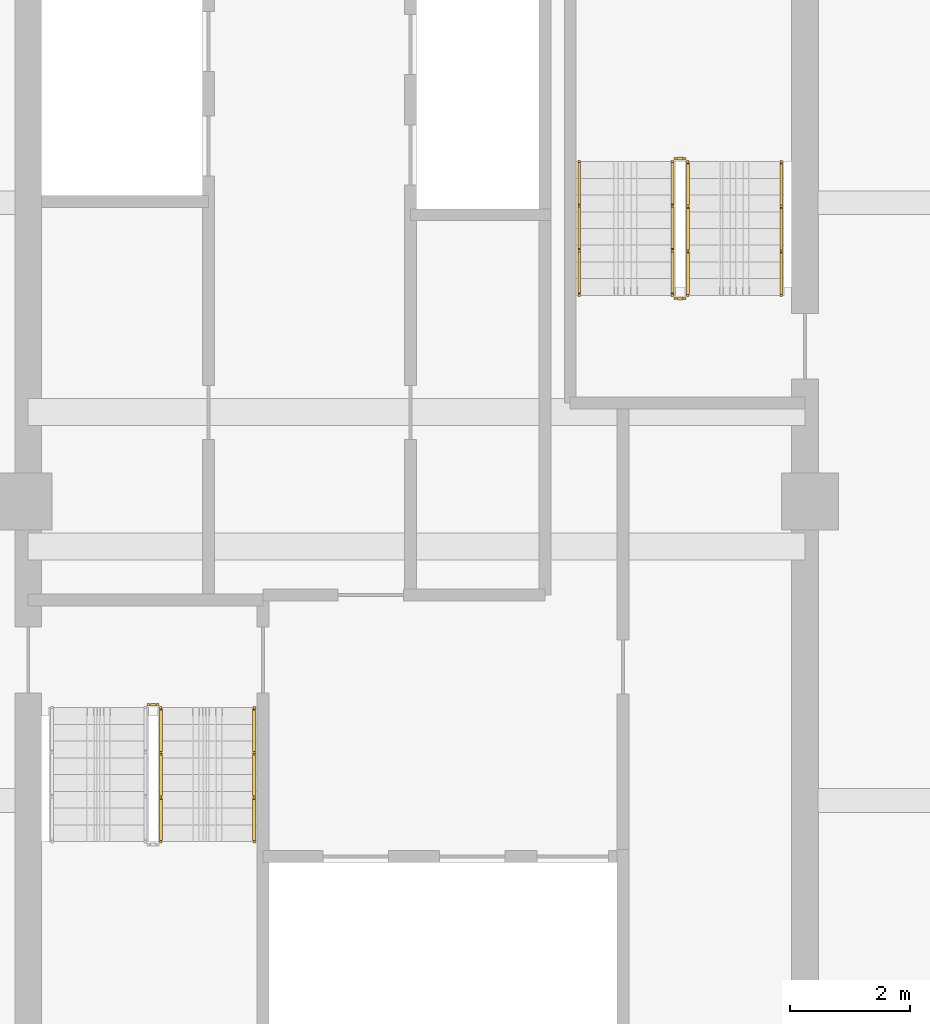
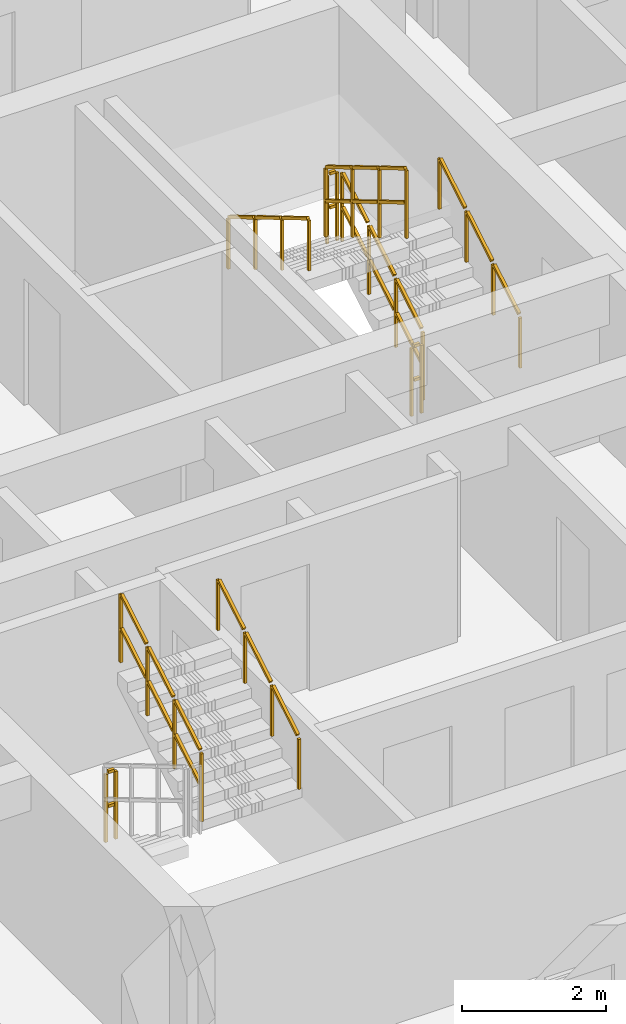
# One storey, part 11 of 13: 9 railings.
"""IFC4 building model written with IfcOpenShell, lengths in metres."""

from ifc_helpers import new_model, si_unit, direction, frame, origin, origin_2d, place, context, subcontext, project, spatial, rectangle, extrude, material, type_object, element, save


model = new_model("IFC4")

# Units and contexts
model_context = context("Model", 3, precision=1e-05, world=origin(), true_north=direction((0.0, 1.0)))
body_context = subcontext(model_context, "Body", "Model", "MODEL_VIEW")
ifc_project = project(units=[si_unit("LENGTHUNIT", "METRE"), si_unit("AREAUNIT", "SQUARE_METRE"), si_unit("VOLUMEUNIT", "CUBIC_METRE"), si_unit("PLANEANGLEUNIT", "RADIAN"), si_unit("MASSUNIT", "GRAM", prefix="KILO")], contexts=[model_context])

# Site, building, storey
site_placement = place(None, origin())
site = spatial("IfcSite", under=ifc_project, at=site_placement, CompositionType="ELEMENT")
building_placement = place(site_placement, origin())
building = spatial("IfcBuilding", under=site, at=building_placement, Name="Saelheon Loggia Tower", CompositionType="ELEMENT")
storey_placement = place(building_placement, frame((0.0, 0.0, 220.199951171875)))
storey = spatial("IfcBuildingStorey", under=building, at=storey_placement, Name="L68", CompositionType="ELEMENT", Elevation=220.199951171875)

# Railings
ifc_material_1 = material(Name="Galvanised Steel S275 Stairwell Guardrail", Category="steel")
railing_type_1 = type_object("IfcRailingType", Name="Guard_StairWell_RL_STG", PredefinedType="GUARDRAIL", material=ifc_material_1)
railing_1_placement = place(storey_placement, frame((33.719970703125, 21.31005859375, 1.666748046875)))
element("IfcRailing", 1, at=railing_1_placement, inside=storey, type_object=railing_type_1, Name="L68 ST1 stair guard 3", PredefinedType="GUARDRAIL", context=body_context, shape_type="SweptSolid", body=[
    extrude(rectangle(XDim=0.048095703125, YDim=0.048095703125, at=origin_2d()), frame((0.0, 0.028564453125, 1.19287109375), z_axis=(0.0, 0.859305625298, 0.511462454469), x_axis=(-1.0, 0.0, 0.0)), (0.0, 0.0, 1.0), 0.802490234375),
    extrude(rectangle(XDim=0.048095703125, YDim=0.048095703125, at=origin_2d()), frame((0.0, 0.028564453125, 0.616943359375), z_axis=(0.0, 0.859305625298, 0.511462454469), x_axis=(-1.0, 0.0, 0.0)), (0.0, 0.0, 1.0), 0.802490234375),
    extrude(rectangle(XDim=0.048095703125, YDim=0.048095703125, at=origin_2d()), frame((0.0, 0.775146484375, 1.63720703125), z_axis=(0.0, 0.859305625298, 0.511462454469), x_axis=(-1.0, 0.0, 0.0)), (0.0, 0.0, 1.0), 0.802490234375),
    extrude(rectangle(XDim=0.048095703125, YDim=0.048095703125, at=origin_2d()), frame((0.0, 0.775146484375, 1.061279296875), z_axis=(0.0, 0.859305625298, 0.511462454469), x_axis=(-1.0, 0.0, 0.0)), (0.0, 0.0, 1.0), 0.802490234375),
    extrude(rectangle(XDim=0.048095703125, YDim=0.048095703125, at=origin_2d()), frame((0.0, 1.52197265625, 2.081787109375), z_axis=(0.0, 0.859305625298, 0.511462454469), x_axis=(-1.0, 0.0, 0.0)), (0.0, 0.0, 1.0), 0.802490234375),
    extrude(rectangle(XDim=0.048095703125, YDim=0.048095703125, at=origin_2d()), frame((0.0, 1.52197265625, 1.505859375), z_axis=(0.0, 0.859305625298, 0.511462454469), x_axis=(-1.0, 0.0, 0.0)), (0.0, 0.0, 1.0), 0.802490234375),
    extrude(rectangle(XDim=0.0419921875, YDim=0.0419921875, at=origin_2d()), origin(), (0.0, 0.0, 1.0), 1.14794921875),
    extrude(rectangle(XDim=0.0419921875, YDim=0.0419921875, at=origin_2d()), frame((0.0, 0.74658203125, 0.4443359375)), (0.0, 0.0, 1.0), 1.14794921875),
    extrude(rectangle(XDim=0.0419921875, YDim=0.0419921875, at=origin_2d()), frame((0.0, 1.493408203125, 0.888916015625)), (0.0, 0.0, 1.0), 1.14794921875),
    extrude(rectangle(XDim=0.0419921875, YDim=0.0419921875, at=origin_2d()), frame((0.0, 2.239990234375, 1.333251953125)), (0.0, 0.0, 1.0), 1.14794921875),
])
railing_2_placement = place(storey_placement, frame((33.510009765625, 23.60009765625, 0.0)))
element("IfcRailing", 2, at=railing_2_placement, inside=storey, type_object=railing_type_1, Name="L68 ST1 stair guard 4", PredefinedType="GUARDRAIL", context=body_context, shape_type="SweptSolid", body=[
    extrude(rectangle(XDim=0.048095703125, YDim=0.048095703125, at=origin_2d()), frame((0.033203125, 0.0, 1.17578125), z_axis=(1.0, 0.0, 0.0), x_axis=(0.0, 1.0, 0.0)), (0.0, 0.0, 1.0), 0.093505859375),
    extrude(rectangle(XDim=0.048095703125, YDim=0.048095703125, at=origin_2d()), frame((0.033203125, 0.0, 0.60009765625), z_axis=(1.0, 0.0, 0.0), x_axis=(0.0, 1.0, 0.0)), (0.0, 0.0, 1.0), 0.093505859375),
    extrude(rectangle(XDim=0.0419921875, YDim=0.0419921875, at=origin_2d()), origin(), (0.0, 0.0, 1.0), 1.14794921875),
    extrude(rectangle(XDim=0.0419921875, YDim=0.0419921875, at=origin_2d()), frame((0.159912109375, 0.0, 0.0)), (0.0, 0.0, 1.0), 1.14794921875),
])
railing_3_placement = place(storey_placement, frame((42.5400390625, 30.449951171875, 0.166748046875)))
element("IfcRailing", 3, at=railing_3_placement, inside=storey, type_object=railing_type_1, Name="L68 ST2 stair guard 1", PredefinedType="GUARDRAIL", context=body_context, shape_type="SweptSolid", body=[
    extrude(rectangle(XDim=0.048095703125, YDim=0.048095703125, at=origin_2d()), frame((0.0, 0.028564453125, 1.19287109375), z_axis=(0.0, 0.859305625298, 0.511462454469), x_axis=(-1.0, 0.0, 0.0)), (0.0, 0.0, 1.0), 0.802490234375),
    extrude(rectangle(XDim=0.048095703125, YDim=0.048095703125, at=origin_2d()), frame((0.0, 0.028564453125, 0.616943359375), z_axis=(0.0, 0.859305625298, 0.511462454469), x_axis=(-1.0, 0.0, 0.0)), (0.0, 0.0, 1.0), 0.802490234375),
    extrude(rectangle(XDim=0.048095703125, YDim=0.048095703125, at=origin_2d()), frame((0.0, 0.775146484375, 1.63720703125), z_axis=(0.0, 0.859305625298, 0.511462454469), x_axis=(-1.0, 0.0, 0.0)), (0.0, 0.0, 1.0), 0.802490234375),
    extrude(rectangle(XDim=0.048095703125, YDim=0.048095703125, at=origin_2d()), frame((0.0, 0.775146484375, 1.061279296875), z_axis=(0.0, 0.859305625298, 0.511462454469), x_axis=(-1.0, 0.0, 0.0)), (0.0, 0.0, 1.0), 0.802490234375),
    extrude(rectangle(XDim=0.048095703125, YDim=0.048095703125, at=origin_2d()), frame((0.0, 1.52197265625, 2.081787109375), z_axis=(0.0, 0.859305625298, 0.511462454469), x_axis=(-1.0, 0.0, 0.0)), (0.0, 0.0, 1.0), 0.802490234375),
    extrude(rectangle(XDim=0.048095703125, YDim=0.048095703125, at=origin_2d()), frame((0.0, 1.52197265625, 1.505859375), z_axis=(0.0, 0.859305625298, 0.511462454469), x_axis=(-1.0, 0.0, 0.0)), (0.0, 0.0, 1.0), 0.802490234375),
    extrude(rectangle(XDim=0.0419921875, YDim=0.0419921875, at=origin_2d()), origin(), (0.0, 0.0, 1.0), 1.14794921875),
    extrude(rectangle(XDim=0.0419921875, YDim=0.0419921875, at=origin_2d()), frame((0.0, 0.74658203125, 0.4443359375)), (0.0, 0.0, 1.0), 1.14794921875),
    extrude(rectangle(XDim=0.0419921875, YDim=0.0419921875, at=origin_2d()), frame((0.0, 1.493408203125, 0.888916015625)), (0.0, 0.0, 1.0), 1.14794921875),
    extrude(rectangle(XDim=0.0419921875, YDim=0.0419921875, at=origin_2d()), frame((0.0, 2.239990234375, 1.333251953125)), (0.0, 0.0, 1.0), 1.14794921875),
])
railing_4_placement = place(storey_placement, frame((42.489990234375, 32.739990234375, 1.5)))
element("IfcRailing", 4, at=railing_4_placement, inside=storey, type_object=railing_type_1, Name="L68 ST2 stair guard 2", PredefinedType="GUARDRAIL", context=body_context, shape_type="SweptSolid", body=[
    extrude(rectangle(XDim=0.048095703125, YDim=0.048095703125, at=origin_2d()), frame((-0.033203125, 0.0, 1.17578125), z_axis=(-1.0, 0.0, 0.0), x_axis=(0.0, -1.0, 0.0)), (0.0, 0.0, 1.0), 0.093505859375),
    extrude(rectangle(XDim=0.048095703125, YDim=0.048095703125, at=origin_2d()), frame((-0.033203125, 0.0, 0.60009765625), z_axis=(-1.0, 0.0, 0.0), x_axis=(0.0, -1.0, 0.0)), (0.0, 0.0, 1.0), 0.093505859375),
    extrude(rectangle(XDim=0.0419921875, YDim=0.0419921875, at=origin_2d()), origin(), (0.0, 0.0, 1.0), 1.14794921875),
    extrude(rectangle(XDim=0.0419921875, YDim=0.0419921875, at=origin_2d()), frame((-0.159912109375, 0.0, 0.0)), (0.0, 0.0, 1.0), 1.14794921875),
])
railing_5_placement = place(storey_placement, frame((42.280029296875, 32.68994140625, 1.666748046875)))
element("IfcRailing", 5, at=railing_5_placement, inside=storey, type_object=railing_type_1, Name="L68 ST2 stair guard 3", PredefinedType="GUARDRAIL", context=body_context, shape_type="SweptSolid", body=[
    extrude(rectangle(XDim=0.048095703125, YDim=0.048095703125, at=origin_2d()), frame((0.0, -0.028564453125, 1.19287109375), z_axis=(0.0, -0.859305625298, 0.511462454469), x_axis=(1.0, 0.0, 0.0)), (0.0, 0.0, 1.0), 0.802490234375),
    extrude(rectangle(XDim=0.048095703125, YDim=0.048095703125, at=origin_2d()), frame((0.0, -0.028564453125, 0.616943359375), z_axis=(0.0, -0.859305625298, 0.511462454469), x_axis=(1.0, 0.0, 0.0)), (0.0, 0.0, 1.0), 0.802490234375),
    extrude(rectangle(XDim=0.048095703125, YDim=0.048095703125, at=origin_2d()), frame((0.0, -0.775146484375, 1.63720703125), z_axis=(0.0, -0.859305625298, 0.511462454469), x_axis=(1.0, 0.0, 0.0)), (0.0, 0.0, 1.0), 0.802490234375),
    extrude(rectangle(XDim=0.048095703125, YDim=0.048095703125, at=origin_2d()), frame((0.0, -0.775146484375, 1.061279296875), z_axis=(0.0, -0.859305625298, 0.511462454469), x_axis=(1.0, 0.0, 0.0)), (0.0, 0.0, 1.0), 0.802490234375),
    extrude(rectangle(XDim=0.048095703125, YDim=0.048095703125, at=origin_2d()), frame((0.0, -1.52197265625, 2.081787109375), z_axis=(0.0, -0.859305625298, 0.511462454469), x_axis=(1.0, 0.0, 0.0)), (0.0, 0.0, 1.0), 0.802490234375),
    extrude(rectangle(XDim=0.048095703125, YDim=0.048095703125, at=origin_2d()), frame((0.0, -1.52197265625, 1.505859375), z_axis=(0.0, -0.859305625298, 0.511462454469), x_axis=(1.0, 0.0, 0.0)), (0.0, 0.0, 1.0), 0.802490234375),
    extrude(rectangle(XDim=0.0419921875, YDim=0.0419921875, at=origin_2d()), origin(), (0.0, 0.0, 1.0), 1.14794921875),
    extrude(rectangle(XDim=0.0419921875, YDim=0.0419921875, at=origin_2d()), frame((0.0, -0.74658203125, 0.4443359375)), (0.0, 0.0, 1.0), 1.14794921875),
    extrude(rectangle(XDim=0.0419921875, YDim=0.0419921875, at=origin_2d()), frame((0.0, -1.493408203125, 0.888916015625)), (0.0, 0.0, 1.0), 1.14794921875),
    extrude(rectangle(XDim=0.0419921875, YDim=0.0419921875, at=origin_2d()), frame((0.0, -2.239990234375, 1.333251953125)), (0.0, 0.0, 1.0), 1.14794921875),
])
railing_6_placement = place(storey_placement, frame((42.489990234375, 30.39990234375, 0.0)))
element("IfcRailing", 6, at=railing_6_placement, inside=storey, type_object=railing_type_1, Name="L68 ST2 stair guard 4", PredefinedType="GUARDRAIL", context=body_context, shape_type="SweptSolid", body=[
    extrude(rectangle(XDim=0.048095703125, YDim=0.048095703125, at=origin_2d()), frame((-0.033203125, 0.0, 1.17578125), z_axis=(-1.0, 0.0, 0.0), x_axis=(0.0, -1.0, 0.0)), (0.0, 0.0, 1.0), 0.093505859375),
    extrude(rectangle(XDim=0.048095703125, YDim=0.048095703125, at=origin_2d()), frame((-0.033203125, 0.0, 0.60009765625), z_axis=(-1.0, 0.0, 0.0), x_axis=(0.0, -1.0, 0.0)), (0.0, 0.0, 1.0), 0.093505859375),
    extrude(rectangle(XDim=0.0419921875, YDim=0.0419921875, at=origin_2d()), origin(), (0.0, 0.0, 1.0), 1.14794921875),
    extrude(rectangle(XDim=0.0419921875, YDim=0.0419921875, at=origin_2d()), frame((-0.159912109375, 0.0, 0.0)), (0.0, 0.0, 1.0), 1.14794921875),
])
ifc_material_2 = material(Name="Stainless Steel 304 Tubular Handrail", Category="steel")
railing_type_2 = type_object("IfcRailingType", Name="Handrail_Stair_RL_HR1", PredefinedType="HANDRAIL", material=ifc_material_2)
for number, where, name in (
    (7, (35.280029296875, 21.31005859375, 1.666748046875), "L68 ST1 stair handrail 2"),
    (8, (44.10009765625, 30.449951171875, 0.166748046875), "L68 ST2 stair handrail 1"),
):
    element("IfcRailing", number, at=place(storey_placement, frame(where)), inside=storey, type_object=railing_type_2, Name=name, PredefinedType="HANDRAIL", context=body_context, shape_type="SweptSolid", body=[
        extrude(rectangle(XDim=0.048095703125, YDim=0.048095703125, at=origin_2d()), frame((0.0, 0.028564453125, 0.892822265625), z_axis=(0.0, 0.859305625298, 0.511462454469), x_axis=(-1.0, 0.0, 0.0)), (0.0, 0.0, 1.0), 0.802490234375),
        extrude(rectangle(XDim=0.048095703125, YDim=0.048095703125, at=origin_2d()), frame((0.0, 0.775146484375, 1.337158203125), z_axis=(0.0, 0.859305625298, 0.511462454469), x_axis=(-1.0, 0.0, 0.0)), (0.0, 0.0, 1.0), 0.802490234375),
        extrude(rectangle(XDim=0.048095703125, YDim=0.048095703125, at=origin_2d()), frame((0.0, 1.52197265625, 1.78173828125), z_axis=(0.0, 0.859305625298, 0.511462454469), x_axis=(-1.0, 0.0, 0.0)), (0.0, 0.0, 1.0), 0.802490234375),
        extrude(rectangle(XDim=0.0419921875, YDim=0.0419921875, at=origin_2d()), origin(), (0.0, 0.0, 1.0), 0.847900390625),
        extrude(rectangle(XDim=0.0419921875, YDim=0.0419921875, at=origin_2d()), frame((0.0, 0.74658203125, 0.4443359375)), (0.0, 0.0, 1.0), 0.847900390625),
        extrude(rectangle(XDim=0.0419921875, YDim=0.0419921875, at=origin_2d()), frame((0.0, 1.493408203125, 0.888916015625)), (0.0, 0.0, 1.0), 0.847900390625),
        extrude(rectangle(XDim=0.0419921875, YDim=0.0419921875, at=origin_2d()), frame((0.0, 2.239990234375, 1.333251953125)), (0.0, 0.0, 1.0), 0.847900390625),
    ])
railing_7_placement = place(storey_placement, frame((40.719970703125, 32.68994140625, 1.666748046875)))
element("IfcRailing", 9, at=railing_7_placement, inside=storey, type_object=railing_type_2, Name="L68 ST2 stair handrail 2", PredefinedType="HANDRAIL", context=body_context, shape_type="SweptSolid", body=[
    extrude(rectangle(XDim=0.048095703125, YDim=0.048095703125, at=origin_2d()), frame((0.0, -0.028564453125, 0.892822265625), z_axis=(0.0, -0.859305625298, 0.511462454469), x_axis=(1.0, 0.0, 0.0)), (0.0, 0.0, 1.0), 0.802490234375),
    extrude(rectangle(XDim=0.048095703125, YDim=0.048095703125, at=origin_2d()), frame((0.0, -0.775146484375, 1.337158203125), z_axis=(0.0, -0.859305625298, 0.511462454469), x_axis=(1.0, 0.0, 0.0)), (0.0, 0.0, 1.0), 0.802490234375),
    extrude(rectangle(XDim=0.048095703125, YDim=0.048095703125, at=origin_2d()), frame((0.0, -1.52197265625, 1.78173828125), z_axis=(0.0, -0.859305625298, 0.511462454469), x_axis=(1.0, 0.0, 0.0)), (0.0, 0.0, 1.0), 0.802490234375),
    extrude(rectangle(XDim=0.0419921875, YDim=0.0419921875, at=origin_2d()), origin(), (0.0, 0.0, 1.0), 0.847900390625),
    extrude(rectangle(XDim=0.0419921875, YDim=0.0419921875, at=origin_2d()), frame((0.0, -0.74658203125, 0.4443359375)), (0.0, 0.0, 1.0), 0.847900390625),
    extrude(rectangle(XDim=0.0419921875, YDim=0.0419921875, at=origin_2d()), frame((0.0, -1.493408203125, 0.888916015625)), (0.0, 0.0, 1.0), 0.847900390625),
    extrude(rectangle(XDim=0.0419921875, YDim=0.0419921875, at=origin_2d()), frame((0.0, -2.239990234375, 1.333251953125)), (0.0, 0.0, 1.0), 0.847900390625),
])

save(model, "model.ifc")
